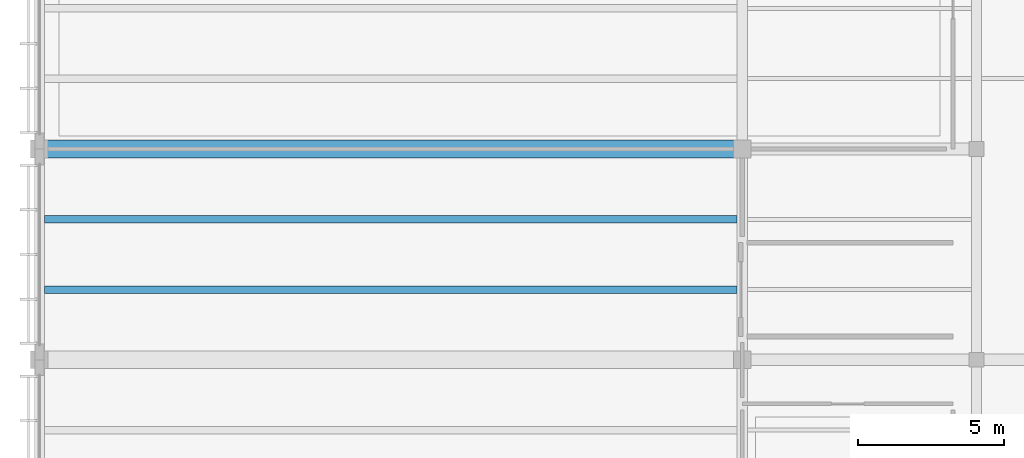
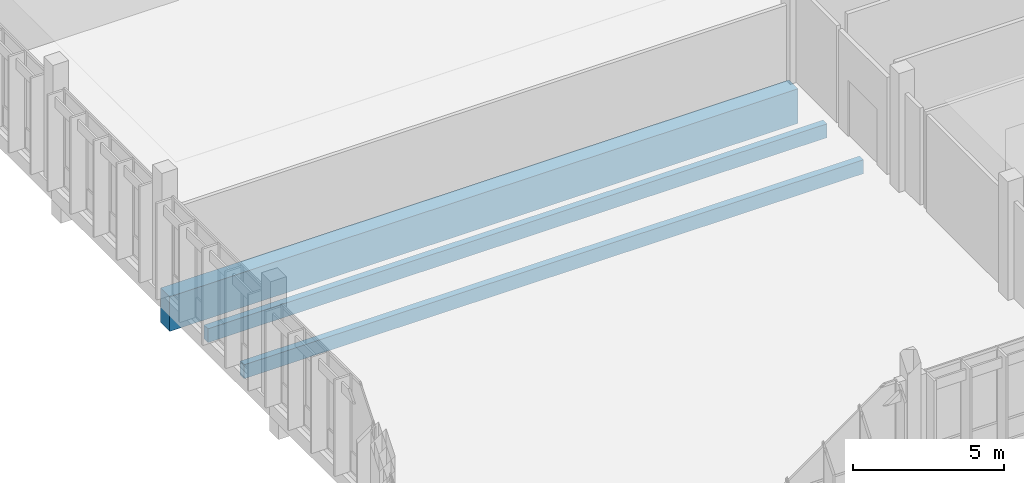
# One storey, part 19 of 177: 3 beams.
"""IFC4 building model written with IfcOpenShell, lengths in metres."""

from ifc_helpers import new_model, si_unit, direction, frame, origin, origin_2d, place, context, subcontext, project, spatial, rectangle, extrude, material, material_profile, profile_set, type_object, element, save


model = new_model("IFC4")

# Units and contexts
model_context = context("Model", 3, precision=1e-05, world=origin(), true_north=direction((0.0, 1.0)))
body_context = subcontext(model_context, "Body", "Model", "MODEL_VIEW")
ifc_project = project(units=[si_unit("LENGTHUNIT", "METRE"), si_unit("AREAUNIT", "SQUARE_METRE"), si_unit("VOLUMEUNIT", "CUBIC_METRE"), si_unit("PLANEANGLEUNIT", "RADIAN"), si_unit("MASSUNIT", "GRAM", prefix="KILO")], contexts=[model_context])

# Site, building, storey
site_placement = place(None, origin())
site = spatial("IfcSite", under=ifc_project, at=site_placement, CompositionType="ELEMENT")
building_placement = place(site_placement, origin())
building = spatial("IfcBuilding", under=site, at=building_placement, Name="Chiffa Square Polytechnic", CompositionType="ELEMENT")
storey_placement = place(building_placement, frame((0.0, 0.0, 4.800048828125)))
storey = spatial("IfcBuildingStorey", under=building, at=storey_placement, Name="L01", CompositionType="ELEMENT", Elevation=4.800048828125)

# Beams
ifc_material_1 = material(Name="Concrete C40/50", Category="concrete")
ifc_material_profile_1 = material_profile(ifc_material_1, rectangle(XDim=0.60009765625, YDim=1.39990234375, at=origin_2d()), Name="RC 600x1400")
ifc_profile_set_1 = profile_set([ifc_material_profile_1], Name="Concrete C40/50")
beam_type_1 = type_object("IfcBeamType", Name="BM-RC-600X1400", PredefinedType="BEAM", material=ifc_profile_set_1)
beam_placement = place(storey_placement, frame((0.0, 21.60009765625, -0.97998046875), z_axis=(1.0, 0.0, 0.0), x_axis=(0.0, 1.0, 0.0)))
element("IfcBeam", 1, at=beam_placement, inside=storey, type_object=beam_type_1, Name="Primary floor girder BM-V3-L01-X-0000-0216", PredefinedType="BEAM", context=body_context, shape_type="SweptSolid", body=[
    extrude(rectangle(XDim=0.60009765625, YDim=1.39990234375, at=origin_2d()), origin(), (0.0, 0.0, 1.0), 24.0),
])
ifc_material_2 = material(Name="Glulam GL28h", Category="wood")
ifc_material_profile_2 = material_profile(ifc_material_2, rectangle(XDim=0.260009765625, YDim=0.56005859375, at=origin_2d()), Name="GL28h 260x560")
ifc_profile_set_2 = profile_set([ifc_material_profile_2], Name="Glulam GL28h")
beam_type_2 = type_object("IfcBeamType", Name="JST-GL-260X560", PredefinedType="JOIST", material=ifc_profile_set_2)
for number, where, z_axis, x_axis, name in (
    (2, (0.173095703125, 16.800048828125, -0.56005859375), (1.0, 0.0, 0.0), (0.0, 1.0, 0.0), "Secondary floor joist JST-V3-L01-0000-0168"),
    (3, (0.173095703125, 19.199951171875, -0.56005859375), (1.0, 0.0, 0.0), (0.0, 1.0, 0.0), "Secondary floor joist JST-V3-L01-0000-0192"),
):
    element("IfcBeam", number, at=place(storey_placement, frame(where, z_axis=z_axis, x_axis=x_axis)), inside=storey, type_object=beam_type_2, Name=name, PredefinedType="JOIST", context=body_context, shape_type="SweptSolid", body=[
        extrude(rectangle(XDim=0.260009765625, YDim=0.56005859375, at=origin_2d()), origin(), (0.0, 0.0, 1.0), 23.65380859375),
    ])

save(model, "model.ifc")
